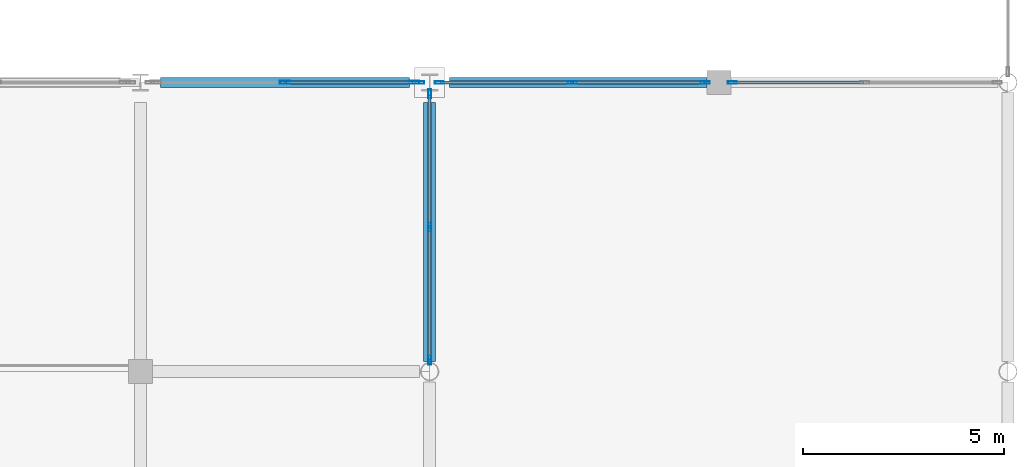
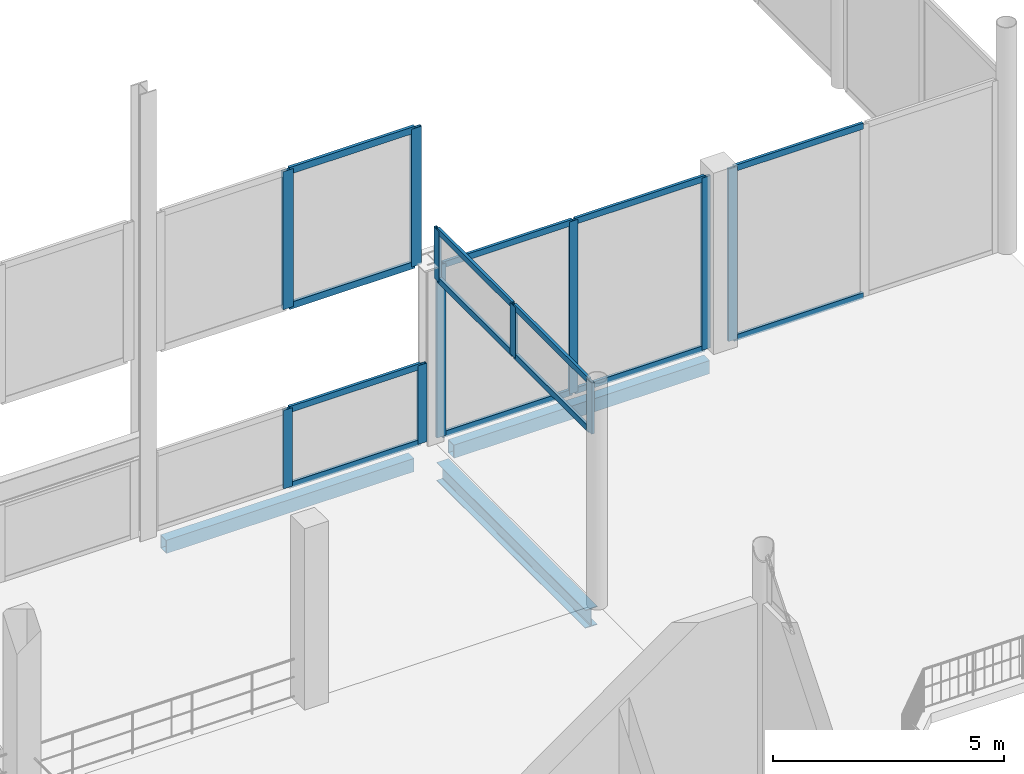
# One storey, part 59 of 120: 25 members, 3 beams, 5 elements without a shape of their own.
"""IFC4 building model written with IfcOpenShell, lengths in metres."""

from ifc_helpers import new_model, si_unit, direction, frame, origin, origin_2d, place, context, subcontext, project, spatial, hollow_rectangle, i_section, extrude, material, material_profile, profile_set, type_object, element, aggregate, save


model = new_model("IFC4")

# Units and contexts
model_context = context("Model", 3, precision=1e-05, world=origin(), true_north=direction((0.0, 1.0)))
body_context = subcontext(model_context, "Body", "Model", "MODEL_VIEW")
ifc_project = project(units=[si_unit("LENGTHUNIT", "METRE"), si_unit("AREAUNIT", "SQUARE_METRE"), si_unit("VOLUMEUNIT", "CUBIC_METRE"), si_unit("PLANEANGLEUNIT", "RADIAN"), si_unit("MASSUNIT", "GRAM", prefix="KILO")], contexts=[model_context])

# Site, building, storey
site_placement = place(None, origin())
site = spatial("IfcSite", under=ifc_project, at=site_placement, CompositionType="ELEMENT")
building_placement = place(site_placement, origin())
building = spatial("IfcBuilding", under=site, at=building_placement, Name="Vesperath Aquatics Centre", CompositionType="ELEMENT")
storey_placement = place(building_placement, frame((0.0, 0.0, 10.199951171875)))
storey = spatial("IfcBuildingStorey", under=building, at=storey_placement, Name="L02", CompositionType="ELEMENT", Elevation=10.199951171875)

# Beams
ifc_material_1 = material(Name="Steel Q355C", Category="steel")
ifc_material_profile_1 = material_profile(ifc_material_1, i_section(OverallWidth=0.300048828125, OverallDepth=0.488037109375, WebThickness=0.010986328125, FlangeThickness=0.01806640625, FilletRadius=0.02587890625, at=origin_2d()), Name="HM 488x300x11x18")
ifc_profile_set_1 = profile_set([ifc_material_profile_1], Name="Steel Q355C")
beam_type_1 = type_object("IfcBeamType", Name="BM-G10", PredefinedType="BEAM", material=ifc_profile_set_1)
beam_1_placement = place(storey_placement, frame((100.800048828125, 79.4541015625, -0.50390625), z_axis=(0.0, 1.0, 0.0), x_axis=(-1.0, 0.0, 0.0)))
element("IfcBeam", 1, at=beam_1_placement, inside=storey, type_object=beam_type_1, Name="Floor Girder B10 L02 15 M-N", PredefinedType="BEAM", context=body_context, shape_type="SweptSolid", body=[
    extrude(i_section(OverallWidth=0.300048828125, OverallDepth=0.488037109375, WebThickness=0.010986328125, FlangeThickness=0.01806640625, FilletRadius=0.02587890625, at=origin_2d()), origin(), (0.0, 0.0, 1.0), 6.44580078125),
])
ifc_material_2 = material(Name="Steel Q355D", Category="steel")
ifc_material_profile_2 = material_profile(ifc_material_2, hollow_rectangle(XDim=0.25, YDim=0.35009765625, WallThickness=0.011962890625, at=origin_2d()), Name="RHS 350x250x12")
ifc_profile_set_2 = profile_set([ifc_material_profile_2], Name="Steel Q355D")
beam_type_2 = type_object("IfcBeamType", Name="BM-SP02", PredefinedType="SPANDREL", material=ifc_profile_set_2)
beam_2_placement = place(storey_placement, frame((94.10009765625, 86.39990234375, -0.43505859375), z_axis=(1.0, 0.0, 0.0), x_axis=(0.0, 1.0, 0.0)))
element("IfcBeam", 2, at=beam_2_placement, inside=storey, type_object=beam_type_2, Name="Floor Girder SP02 L02 N 14-15", PredefinedType="SPANDREL", context=body_context, shape_type="SweptSolid", body=[
    extrude(hollow_rectangle(XDim=0.25, YDim=0.35009765625, WallThickness=0.011962890625, at=origin_2d()), origin(), (0.0, 0.0, 1.0), 6.199951171875),
])
beam_3_placement = place(storey_placement, frame((101.300048828125, 86.39990234375, -0.43505859375), z_axis=(1.0, 0.0, 0.0), x_axis=(0.0, 1.0, 0.0)))
element("IfcBeam", 3, at=beam_3_placement, inside=storey, type_object=beam_type_2, Name="Floor Girder SP02 L02 N 15-16", PredefinedType="SPANDREL", context=body_context, shape_type="SweptSolid", body=[
    extrude(hollow_rectangle(XDim=0.25, YDim=0.35009765625, WallThickness=0.011962890625, at=origin_2d()), origin(), (0.0, 0.0, 1.0), 6.39990234375),
])

# Curtain wall, members
ifc_material_3 = material(Name="Thermally broken anodised bronze aluminium curtain wall", Category="aluminium")
curtain_wall_type_1 = type_object("IfcCurtainWallType", Name="CW-08", PredefinedType="NOTDEFINED", material=ifc_material_3)
curtain_wall_1_placement = place(storey_placement, origin())
curtain_wall_1 = element("IfcCurtainWall", 4, at=curtain_wall_1_placement, inside=storey, type_object=curtain_wall_type_1, Name="Natatorium Gable East Curtain Wall CW08 N-7E", PredefinedType="NOTDEFINED")
ifc_material_4 = material(Name="Thermally broken anodised aluminium", Category="aluminium")
ifc_material_profile_3 = material_profile(ifc_material_4, hollow_rectangle(XDim=0.074951171875, YDim=0.260009765625, WallThickness=0.006103515625, at=origin_2d()), Name="CWM 75x260x6")
ifc_profile_set_3 = profile_set([ifc_material_profile_3], Name="Thermally broken anodised aluminium")
member_type_1 = type_object("IfcMemberType", Name="MB-CWM1", PredefinedType="MULLION", material=ifc_profile_set_3)
member_1_placement = place(storey_placement, frame((97.199951171875, 86.39990234375, 4.75), z_axis=(0.0, 0.0, 1.0), x_axis=(0.0, 1.0, 0.0)))
member_1 = element("IfcMember", 5, at=member_1_placement, type_object=member_type_1, Name="CW08 mullion 2", PredefinedType="MULLION", context=body_context, shape_type="SweptSolid", body=[
    extrude(hollow_rectangle(XDim=0.074951171875, YDim=0.260009765625, WallThickness=0.006103515625, at=origin_2d()), origin(), (0.0, 0.0, 1.0), 3.650146484375),
])
member_2_placement = place(storey_placement, frame((100.41259765625, 86.39990234375, 4.75), z_axis=(0.0, 0.0, 1.0), x_axis=(0.0, 1.0, 0.0)))
member_2 = element("IfcMember", 6, at=member_2_placement, type_object=member_type_1, Name="CW08 mullion 3", PredefinedType="MULLION", context=body_context, shape_type="SweptSolid", body=[
    extrude(hollow_rectangle(XDim=0.074951171875, YDim=0.260009765625, WallThickness=0.006103515625, at=origin_2d()), origin(), (0.0, 0.0, 1.0), 3.650146484375),
])

curtain_wall_type_2 = type_object("IfcCurtainWallType", Name="CW-06", PredefinedType="NOTDEFINED", material=ifc_material_3)
curtain_wall_2_placement = place(storey_placement, origin())
curtain_wall_2 = element("IfcCurtainWall", 7, at=curtain_wall_2_placement, inside=storey, type_object=curtain_wall_type_2, Name="Facade Curtain Wall CW06 L02_N_13_12", PredefinedType="NOTDEFINED")
ifc_material_profile_4 = material_profile(ifc_material_4, hollow_rectangle(XDim=0.070068359375, YDim=0.219970703125, WallThickness=0.0048828125, at=origin_2d()), Name="CWM 70x220x5")
ifc_profile_set_4 = profile_set([ifc_material_profile_4], Name="Thermally broken anodised aluminium")
member_type_2 = type_object("IfcMemberType", Name="MB-CWM2", PredefinedType="MULLION", material=ifc_profile_set_4)
member_3_placement = place(storey_placement, frame((97.199951171875, 86.39990234375, 0.0), z_axis=(0.0, 0.0, 1.0), x_axis=(0.0, 1.0, 0.0)))
member_3 = element("IfcMember", 8, at=member_3_placement, type_object=member_type_2, Name="CW06 mullion 2", PredefinedType="MULLION", context=body_context, shape_type="SweptSolid", body=[
    extrude(hollow_rectangle(XDim=0.070068359375, YDim=0.219970703125, WallThickness=0.0048828125, at=origin_2d()), origin(), (0.0, 0.0, 1.0), 2.080078125),
])
member_4_placement = place(storey_placement, frame((100.5615234375, 86.39990234375, 0.0), z_axis=(0.0, 0.0, 1.0), x_axis=(0.0, 1.0, 0.0)))
member_4 = element("IfcMember", 9, at=member_4_placement, type_object=member_type_2, Name="CW06 mullion 3", PredefinedType="MULLION", context=body_context, shape_type="SweptSolid", body=[
    extrude(hollow_rectangle(XDim=0.070068359375, YDim=0.219970703125, WallThickness=0.0048828125, at=origin_2d()), origin(), (0.0, 0.0, 1.0), 2.080078125),
])

curtain_wall_3_placement = place(storey_placement, origin())
curtain_wall_3 = element("IfcCurtainWall", 10, at=curtain_wall_3_placement, inside=storey, type_object=curtain_wall_type_2, Name="Facade Curtain Wall CW06 L02_N_14_12", PredefinedType="NOTDEFINED")
member_5_placement = place(storey_placement, frame((101.03857421875, 86.39990234375, 0.0), z_axis=(0.0, 0.0, 1.0), x_axis=(0.0, 1.0, 0.0)))
member_5 = element("IfcMember", 11, at=member_5_placement, type_object=member_type_2, Name="CW06 mullion 1", PredefinedType="MULLION", context=body_context, shape_type="SweptSolid", body=[
    extrude(hollow_rectangle(XDim=0.070068359375, YDim=0.219970703125, WallThickness=0.0048828125, at=origin_2d()), origin(), (0.0, 0.0, 1.0), 4.56005859375),
])
member_6_placement = place(storey_placement, frame((104.351806640625, 86.39990234375, 0.0), z_axis=(0.0, 0.0, 1.0), x_axis=(0.0, 1.0, 0.0)))
member_6 = element("IfcMember", 12, at=member_6_placement, type_object=member_type_2, Name="CW06 mullion 2", PredefinedType="MULLION", context=body_context, shape_type="SweptSolid", body=[
    extrude(hollow_rectangle(XDim=0.070068359375, YDim=0.219970703125, WallThickness=0.0048828125, at=origin_2d()), origin(), (0.0, 0.0, 1.0), 4.56005859375),
])
member_7_placement = place(storey_placement, frame((107.6650390625, 86.39990234375, 0.0), z_axis=(0.0, 0.0, 1.0), x_axis=(0.0, 1.0, 0.0)))
member_7 = element("IfcMember", 13, at=member_7_placement, type_object=member_type_2, Name="CW06 mullion 3", PredefinedType="MULLION", context=body_context, shape_type="SweptSolid", body=[
    extrude(hollow_rectangle(XDim=0.070068359375, YDim=0.219970703125, WallThickness=0.0048828125, at=origin_2d()), origin(), (0.0, 0.0, 1.0), 4.56005859375),
])

# Curtain wall, member
curtain_wall_4_placement = place(storey_placement, origin())
curtain_wall_4 = element("IfcCurtainWall", 14, at=curtain_wall_4_placement, inside=storey, type_object=curtain_wall_type_2, Name="Facade Curtain Wall CW06 L02_N_15_12", PredefinedType="NOTDEFINED")
member_8_placement = place(storey_placement, frame((108.3349609375, 86.39990234375, 0.0), z_axis=(0.0, 0.0, 1.0), x_axis=(0.0, 1.0, 0.0)))
member_8 = element("IfcMember", 15, at=member_8_placement, type_object=member_type_2, Name="CW06 mullion 1", PredefinedType="MULLION", context=body_context, shape_type="SweptSolid", body=[
    extrude(hollow_rectangle(XDim=0.070068359375, YDim=0.219970703125, WallThickness=0.0048828125, at=origin_2d()), origin(), (0.0, 0.0, 1.0), 4.56005859375),
])

# Curtain wall, members
curtain_wall_type_3 = type_object("IfcCurtainWallType", Name="CW-10", PredefinedType="NOTDEFINED", material=ifc_material_3)
curtain_wall_5_placement = place(storey_placement, origin())
curtain_wall_5 = element("IfcCurtainWall", 16, at=curtain_wall_5_placement, inside=storey, type_object=curtain_wall_type_3, Name="Conservatory Vault Clerestory CW10 W-12", PredefinedType="NOTDEFINED")
member_9_placement = place(storey_placement, frame((100.800048828125, 79.485107421875, 4.400146484375), z_axis=(0.0, 0.0, 1.0), x_axis=(-1.0, 0.0, 0.0)))
member_9 = element("IfcMember", 17, at=member_9_placement, type_object=member_type_2, Name="CW10 mullion 1", PredefinedType="MULLION", context=body_context, shape_type="SweptSolid", body=[
    extrude(hollow_rectangle(XDim=0.070068359375, YDim=0.219970703125, WallThickness=0.0048828125, at=origin_2d()), origin(), (0.0, 0.0, 1.0), 1.349853515625),
])
member_10_placement = place(storey_placement, frame((100.800048828125, 82.800048828125, 4.400146484375), z_axis=(0.0, 0.0, 1.0), x_axis=(-1.0, 0.0, 0.0)))
member_10 = element("IfcMember", 18, at=member_10_placement, type_object=member_type_2, Name="CW10 mullion 2", PredefinedType="MULLION", context=body_context, shape_type="SweptSolid", body=[
    extrude(hollow_rectangle(XDim=0.070068359375, YDim=0.219970703125, WallThickness=0.0048828125, at=origin_2d()), origin(), (0.0, 0.0, 1.0), 1.349853515625),
])
member_11_placement = place(storey_placement, frame((100.800048828125, 86.114990234375, 4.400146484375), z_axis=(0.0, 0.0, 1.0), x_axis=(-1.0, 0.0, 0.0)))
member_11 = element("IfcMember", 19, at=member_11_placement, type_object=member_type_2, Name="CW10 mullion 3", PredefinedType="MULLION", context=body_context, shape_type="SweptSolid", body=[
    extrude(hollow_rectangle(XDim=0.070068359375, YDim=0.219970703125, WallThickness=0.0048828125, at=origin_2d()), origin(), (0.0, 0.0, 1.0), 1.349853515625),
])

# Member
ifc_material_profile_5 = material_profile(ifc_material_4, hollow_rectangle(XDim=0.074951171875, YDim=0.179931640625, WallThickness=0.0048828125, at=origin_2d()), Name="CWT 75x180x5")
ifc_profile_set_5 = profile_set([ifc_material_profile_5], Name="Thermally broken anodised aluminium")
member_type_3 = type_object("IfcMemberType", Name="MB-CWT1", PredefinedType="USERDEFINED", material=ifc_profile_set_5)
member_12_placement = place(storey_placement, frame((97.237548828125, 86.39990234375, 4.78759765625), z_axis=(1.0, 0.0, 0.0), x_axis=(0.0, 1.0, 0.0)))
member_12 = element("IfcMember", 20, at=member_12_placement, type_object=member_type_3, Name="CW08 transom 2.1", ObjectType="TRANSOM", PredefinedType="USERDEFINED", context=body_context, shape_type="SweptSolid", body=[
    extrude(hollow_rectangle(XDim=0.074951171875, YDim=0.179931640625, WallThickness=0.0048828125, at=origin_2d()), origin(), (0.0, 0.0, 1.0), 3.137451171875),
])

member_13_placement = place(storey_placement, frame((97.237548828125, 86.39990234375, 8.362548828125), z_axis=(1.0, 0.0, 0.0), x_axis=(0.0, 1.0, 0.0)))
member_13 = element("IfcMember", 21, at=member_13_placement, type_object=member_type_3, Name="CW08 transom 2.2", ObjectType="TRANSOM", PredefinedType="USERDEFINED", context=body_context, shape_type="SweptSolid", body=[
    extrude(hollow_rectangle(XDim=0.074951171875, YDim=0.179931640625, WallThickness=0.0048828125, at=origin_2d()), origin(), (0.0, 0.0, 1.0), 3.137451171875),
])

aggregate(curtain_wall_1, [member_1, member_2, member_12, member_13])

ifc_material_profile_6 = material_profile(ifc_material_4, hollow_rectangle(XDim=0.070068359375, YDim=0.159912109375, WallThickness=0.0048828125, at=origin_2d()), Name="CWT 70x160x5")
ifc_profile_set_6 = profile_set([ifc_material_profile_6], Name="Thermally broken anodised aluminium")
member_type_4 = type_object("IfcMemberType", Name="MB-CWT2", PredefinedType="USERDEFINED", material=ifc_profile_set_6)
member_14_placement = place(storey_placement, frame((97.235107421875, 86.39990234375, 0.03515625), z_axis=(1.0, 0.0, 0.0), x_axis=(0.0, 1.0, 0.0)))
member_14 = element("IfcMember", 22, at=member_14_placement, type_object=member_type_4, Name="CW06 transom 2.1", ObjectType="TRANSOM", PredefinedType="USERDEFINED", context=body_context, shape_type="SweptSolid", body=[
    extrude(hollow_rectangle(XDim=0.070068359375, YDim=0.159912109375, WallThickness=0.0048828125, at=origin_2d()), origin(), (0.0, 0.0, 1.0), 3.29150390625),
])

member_15_placement = place(storey_placement, frame((97.235107421875, 86.39990234375, 2.045166015625), z_axis=(1.0, 0.0, 0.0), x_axis=(0.0, 1.0, 0.0)))
member_15 = element("IfcMember", 23, at=member_15_placement, type_object=member_type_4, Name="CW06 transom 2.2", ObjectType="TRANSOM", PredefinedType="USERDEFINED", context=body_context, shape_type="SweptSolid", body=[
    extrude(hollow_rectangle(XDim=0.070068359375, YDim=0.159912109375, WallThickness=0.0048828125, at=origin_2d()), origin(), (0.0, 0.0, 1.0), 3.29150390625),
])

aggregate(curtain_wall_2, [member_3, member_4, member_14, member_15])

member_16_placement = place(storey_placement, frame((101.073486328125, 86.39990234375, 0.03515625), z_axis=(1.0, 0.0, 0.0), x_axis=(0.0, 1.0, 0.0)))
member_16 = element("IfcMember", 24, at=member_16_placement, type_object=member_type_4, Name="CW06 transom 1.1", ObjectType="TRANSOM", PredefinedType="USERDEFINED", context=body_context, shape_type="SweptSolid", body=[
    extrude(hollow_rectangle(XDim=0.070068359375, YDim=0.159912109375, WallThickness=0.0048828125, at=origin_2d()), origin(), (0.0, 0.0, 1.0), 3.2431640625),
])

member_17_placement = place(storey_placement, frame((101.073486328125, 86.39990234375, 4.525146484375), z_axis=(1.0, 0.0, 0.0), x_axis=(0.0, 1.0, 0.0)))
member_17 = element("IfcMember", 25, at=member_17_placement, type_object=member_type_4, Name="CW06 transom 1.2", ObjectType="TRANSOM", PredefinedType="USERDEFINED", context=body_context, shape_type="SweptSolid", body=[
    extrude(hollow_rectangle(XDim=0.070068359375, YDim=0.159912109375, WallThickness=0.0048828125, at=origin_2d()), origin(), (0.0, 0.0, 1.0), 3.2431640625),
])

member_18_placement = place(storey_placement, frame((104.38671875, 86.39990234375, 0.03515625), z_axis=(1.0, 0.0, 0.0), x_axis=(0.0, 1.0, 0.0)))
member_18 = element("IfcMember", 26, at=member_18_placement, type_object=member_type_4, Name="CW06 transom 2.1", ObjectType="TRANSOM", PredefinedType="USERDEFINED", context=body_context, shape_type="SweptSolid", body=[
    extrude(hollow_rectangle(XDim=0.070068359375, YDim=0.159912109375, WallThickness=0.0048828125, at=origin_2d()), origin(), (0.0, 0.0, 1.0), 3.2431640625),
])

member_19_placement = place(storey_placement, frame((104.38671875, 86.39990234375, 4.525146484375), z_axis=(1.0, 0.0, 0.0), x_axis=(0.0, 1.0, 0.0)))
member_19 = element("IfcMember", 27, at=member_19_placement, type_object=member_type_4, Name="CW06 transom 2.2", ObjectType="TRANSOM", PredefinedType="USERDEFINED", context=body_context, shape_type="SweptSolid", body=[
    extrude(hollow_rectangle(XDim=0.070068359375, YDim=0.159912109375, WallThickness=0.0048828125, at=origin_2d()), origin(), (0.0, 0.0, 1.0), 3.2431640625),
])

aggregate(curtain_wall_3, [member_5, member_6, member_7, member_16, member_17, member_18, member_19])

member_20_placement = place(storey_placement, frame((108.3701171875, 86.39990234375, 0.03515625), z_axis=(1.0, 0.0, 0.0), x_axis=(0.0, 1.0, 0.0)))
member_20 = element("IfcMember", 28, at=member_20_placement, type_object=member_type_4, Name="CW06 transom 1.1", ObjectType="TRANSOM", PredefinedType="USERDEFINED", context=body_context, shape_type="SweptSolid", body=[
    extrude(hollow_rectangle(XDim=0.070068359375, YDim=0.159912109375, WallThickness=0.0048828125, at=origin_2d()), origin(), (0.0, 0.0, 1.0), 3.230712890625),
])

member_21_placement = place(storey_placement, frame((108.3701171875, 86.39990234375, 4.525146484375), z_axis=(1.0, 0.0, 0.0), x_axis=(0.0, 1.0, 0.0)))
member_21 = element("IfcMember", 29, at=member_21_placement, type_object=member_type_4, Name="CW06 transom 1.2", ObjectType="TRANSOM", PredefinedType="USERDEFINED", context=body_context, shape_type="SweptSolid", body=[
    extrude(hollow_rectangle(XDim=0.070068359375, YDim=0.159912109375, WallThickness=0.0048828125, at=origin_2d()), origin(), (0.0, 0.0, 1.0), 3.230712890625),
])

aggregate(curtain_wall_4, [member_8, member_20, member_21])

member_22_placement = place(storey_placement, frame((100.800048828125, 79.52001953125, 4.43505859375), z_axis=(0.0, 1.0, 0.0), x_axis=(-1.0, 0.0, 0.0)))
member_22 = element("IfcMember", 30, at=member_22_placement, type_object=member_type_4, Name="CW10 transom 1.1", ObjectType="TRANSOM", PredefinedType="USERDEFINED", context=body_context, shape_type="SweptSolid", body=[
    extrude(hollow_rectangle(XDim=0.070068359375, YDim=0.159912109375, WallThickness=0.0048828125, at=origin_2d()), origin(), (0.0, 0.0, 1.0), 3.244873046875),
])

member_23_placement = place(storey_placement, frame((100.800048828125, 79.52001953125, 5.715087890625), z_axis=(0.0, 1.0, 0.0), x_axis=(-1.0, 0.0, 0.0)))
member_23 = element("IfcMember", 31, at=member_23_placement, type_object=member_type_4, Name="CW10 transom 1.2", ObjectType="TRANSOM", PredefinedType="USERDEFINED", context=body_context, shape_type="SweptSolid", body=[
    extrude(hollow_rectangle(XDim=0.070068359375, YDim=0.159912109375, WallThickness=0.0048828125, at=origin_2d()), origin(), (0.0, 0.0, 1.0), 3.244873046875),
])

member_24_placement = place(storey_placement, frame((100.800048828125, 82.8349609375, 4.43505859375), z_axis=(0.0, 1.0, 0.0), x_axis=(-1.0, 0.0, 0.0)))
member_24 = element("IfcMember", 32, at=member_24_placement, type_object=member_type_4, Name="CW10 transom 2.1", ObjectType="TRANSOM", PredefinedType="USERDEFINED", context=body_context, shape_type="SweptSolid", body=[
    extrude(hollow_rectangle(XDim=0.070068359375, YDim=0.159912109375, WallThickness=0.0048828125, at=origin_2d()), origin(), (0.0, 0.0, 1.0), 3.2451171875),
])

member_25_placement = place(storey_placement, frame((100.800048828125, 82.8349609375, 5.715087890625), z_axis=(0.0, 1.0, 0.0), x_axis=(-1.0, 0.0, 0.0)))
member_25 = element("IfcMember", 33, at=member_25_placement, type_object=member_type_4, Name="CW10 transom 2.2", ObjectType="TRANSOM", PredefinedType="USERDEFINED", context=body_context, shape_type="SweptSolid", body=[
    extrude(hollow_rectangle(XDim=0.070068359375, YDim=0.159912109375, WallThickness=0.0048828125, at=origin_2d()), origin(), (0.0, 0.0, 1.0), 3.2451171875),
])

aggregate(curtain_wall_5, [member_9, member_10, member_11, member_22, member_23, member_24, member_25])

save(model, "model.ifc")
